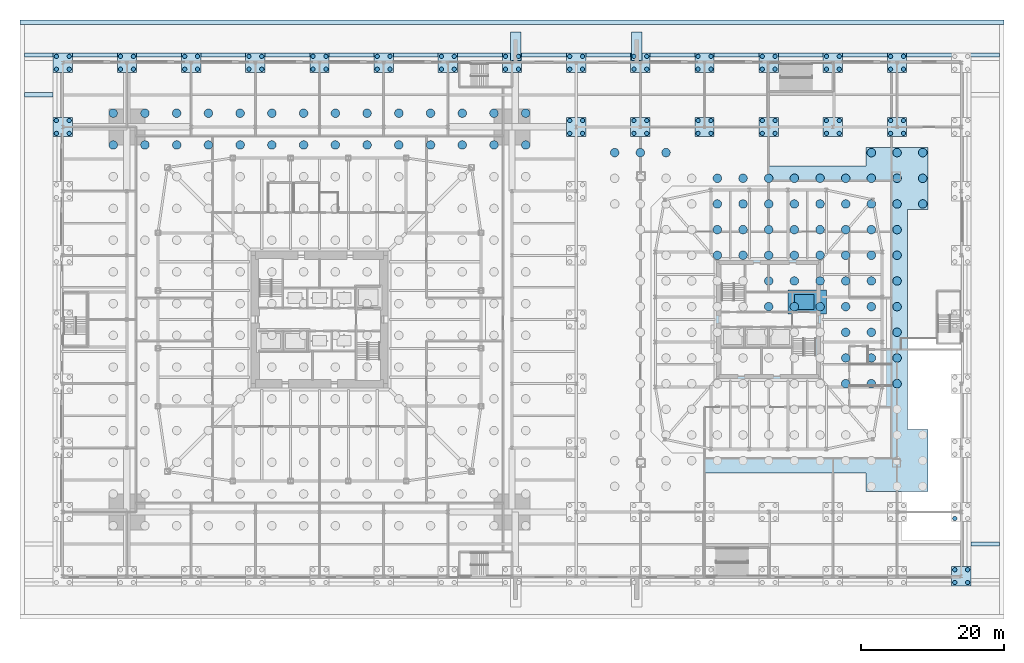
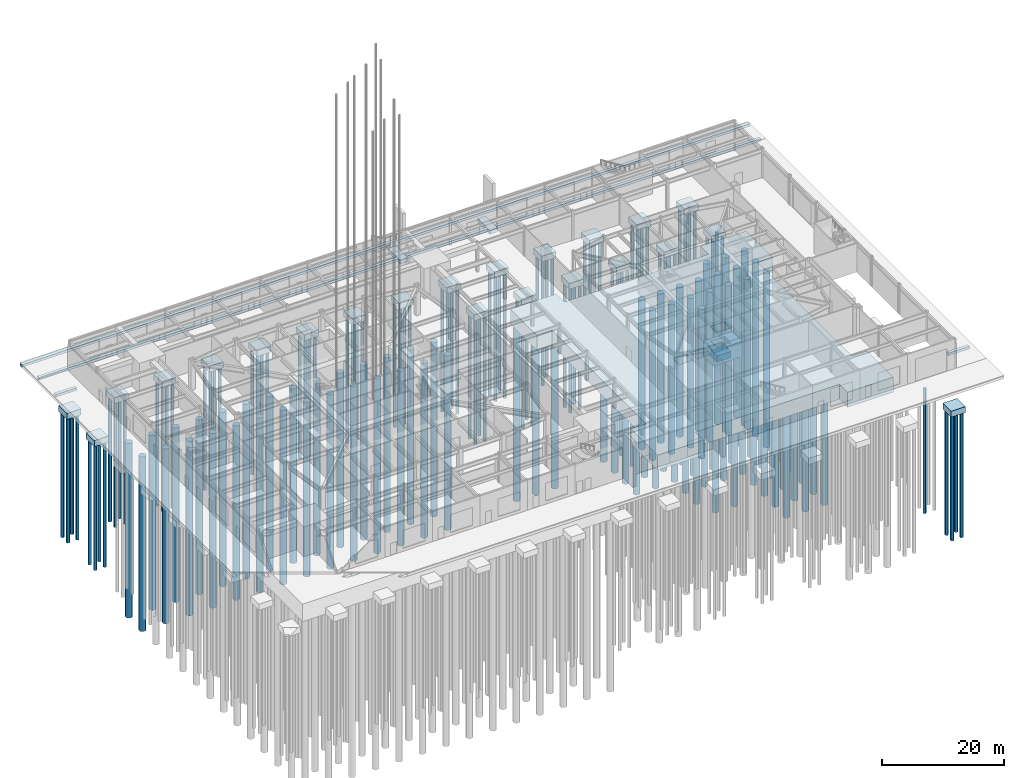
# One storey, part 3 of 37: 178 piles, 33 footings.
"""IFC4 building model written with IfcOpenShell, lengths in metres."""

from ifc_helpers import new_model, si_unit, direction, frame, origin, origin_2d, place, context, subcontext, project, spatial, polyline, rectangle, circle, outline, extrude, material, material_profile, profile_set, type_object, element, save


model = new_model("IFC4")

# Units and contexts
model_context = context("Model", 3, precision=1e-05, world=origin(), true_north=direction((0.0, 1.0)))
body_context = subcontext(model_context, "Body", "Model", "MODEL_VIEW")
ifc_project = project(units=[si_unit("LENGTHUNIT", "METRE"), si_unit("AREAUNIT", "SQUARE_METRE"), si_unit("VOLUMEUNIT", "CUBIC_METRE"), si_unit("PLANEANGLEUNIT", "RADIAN"), si_unit("MASSUNIT", "GRAM", prefix="KILO")], contexts=[model_context])

# Site, building, storey
site_placement = place(None, origin())
site = spatial("IfcSite", under=ifc_project, at=site_placement, CompositionType="ELEMENT")
building_placement = place(site_placement, origin())
building = spatial("IfcBuilding", under=site, at=building_placement, Name="Iwan Alto Co-Living Towers", CompositionType="ELEMENT")
storey_placement = place(building_placement, origin())
storey = spatial("IfcBuildingStorey", under=building, at=storey_placement, Name="L00", CompositionType="ELEMENT", Elevation=0.0)

# Piles
ifc_material_1 = material(Name="Concrete f'c 35 MPa", Category="concrete")
ifc_material_profile_1 = material_profile(ifc_material_1, circle(Radius=0.60009765625, at=origin_2d()), Name="D1200")
ifc_profile_set_1 = profile_set([ifc_material_profile_1], Name="Concrete f'c 35 MPa")
pile_type_1 = type_object("IfcPileType", Name="BORED PILE D1200", PredefinedType="BORED", material=ifc_profile_set_1)
for number, where, z_axis, x_axis, name in (
    (1, (-28.925048828125, 24.47509765625, -12.5), (0.0, 0.0, -1.0), (1.0, 0.0, 0.0), "T1 raft pile 1-13"),
    (2, (-28.925048828125, 28.925048828125, -12.5), (0.0, 0.0, -1.0), (1.0, 0.0, 0.0), "T1 raft pile 1-14"),
    (3, (-24.47509765625, 24.47509765625, -12.5), (0.0, 0.0, -1.0), (1.0, 0.0, 0.0), "T1 raft pile 2-13"),
    (4, (-24.47509765625, 28.925048828125, -12.5), (0.0, 0.0, -1.0), (1.0, 0.0, 0.0), "T1 raft pile 2-14"),
    (5, (-20.02490234375, 24.47509765625, -12.5), (0.0, 0.0, -1.0), (1.0, 0.0, 0.0), "T1 raft pile 3-13"),
    (6, (-20.02490234375, 28.925048828125, -12.5), (0.0, 0.0, -1.0), (1.0, 0.0, 0.0), "T1 raft pile 3-14"),
    (7, (-15.574951171875, 24.47509765625, -12.5), (0.0, 0.0, -1.0), (1.0, 0.0, 0.0), "T1 raft pile 4-13"),
    (8, (-15.574951171875, 28.925048828125, -12.5), (0.0, 0.0, -1.0), (1.0, 0.0, 0.0), "T1 raft pile 4-14"),
    (9, (-11.125, 24.47509765625, -12.5), (0.0, 0.0, -1.0), (1.0, 0.0, 0.0), "T1 raft pile 5-13"),
    (10, (-11.125, 28.925048828125, -12.5), (0.0, 0.0, -1.0), (1.0, 0.0, 0.0), "T1 raft pile 5-14"),
    (11, (-6.675048828125, 24.47509765625, -12.5), (0.0, 0.0, -1.0), (1.0, 0.0, 0.0), "T1 raft pile 6-13"),
    (12, (-6.675048828125, 28.925048828125, -12.5), (0.0, 0.0, -1.0), (1.0, 0.0, 0.0), "T1 raft pile 6-14"),
    (13, (-2.22509765625, 24.47509765625, -12.5), (0.0, 0.0, -1.0), (1.0, 0.0, 0.0), "T1 raft pile 7-13"),
    (14, (-2.22509765625, 28.925048828125, -12.5), (0.0, 0.0, -1.0), (1.0, 0.0, 0.0), "T1 raft pile 7-14"),
    (15, (2.22509765625, 24.47509765625, -12.5), (0.0, 0.0, -1.0), (1.0, 0.0, 0.0), "T1 raft pile 8-13"),
    (16, (2.22509765625, 28.925048828125, -12.5), (0.0, 0.0, -1.0), (1.0, 0.0, 0.0), "T1 raft pile 8-14"),
    (17, (6.675048828125, 24.47509765625, -12.5), (0.0, 0.0, -1.0), (1.0, 0.0, 0.0), "T1 raft pile 9-13"),
    (18, (6.675048828125, 28.925048828125, -12.5), (0.0, 0.0, -1.0), (1.0, 0.0, 0.0), "T1 raft pile 9-14"),
    (19, (11.125, 24.47509765625, -12.5), (0.0, 0.0, -1.0), (1.0, 0.0, 0.0), "T1 raft pile 10-13"),
    (20, (11.125, 28.925048828125, -12.5), (0.0, 0.0, -1.0), (1.0, 0.0, 0.0), "T1 raft pile 10-14"),
    (21, (15.574951171875, 24.47509765625, -12.5), (0.0, 0.0, -1.0), (1.0, 0.0, 0.0), "T1 raft pile 11-13"),
    (22, (15.574951171875, 28.925048828125, -12.5), (0.0, 0.0, -1.0), (1.0, 0.0, 0.0), "T1 raft pile 11-14"),
    (23, (20.02490234375, 24.47509765625, -12.5), (0.0, 0.0, -1.0), (1.0, 0.0, 0.0), "T1 raft pile 12-13"),
    (24, (20.02490234375, 28.925048828125, -12.5), (0.0, 0.0, -1.0), (1.0, 0.0, 0.0), "T1 raft pile 12-14"),
    (25, (24.47509765625, 24.47509765625, -12.5), (0.0, 0.0, -1.0), (1.0, 0.0, 0.0), "T1 raft pile 13-13"),
    (26, (24.47509765625, 28.925048828125, -12.5), (0.0, 0.0, -1.0), (1.0, 0.0, 0.0), "T1 raft pile 13-14"),
    (27, (28.925048828125, 24.47509765625, -12.5), (0.0, 0.0, -1.0), (1.0, 0.0, 0.0), "T1 raft pile 14-13"),
    (28, (28.925048828125, 28.925048828125, -12.5), (0.0, 0.0, -1.0), (1.0, 0.0, 0.0), "T1 raft pile 14-14"),
):
    element("IfcPile", number, at=place(storey_placement, frame(where, z_axis=z_axis, x_axis=x_axis)), inside=storey, type_object=pile_type_1, Name=name, PredefinedType="BORED", context=body_context, shape_type="SweptSolid", body=[
        extrude(circle(Radius=0.60009765625, at=origin_2d()), origin(), (0.0, 0.0, 1.0), 35.0),
    ])
for number, where, z_axis, x_axis, name in (
    (29, (55.800048828125, 9.0, -10.449951171875), (0.0, 0.0, -1.0), (1.0, 0.0, 0.0), "T2 raft pile 4-9"),
    (30, (55.800048828125, 12.60009765625, -10.449951171875), (0.0, 0.0, -1.0), (1.0, 0.0, 0.0), "T2 raft pile 4-10"),
    (31, (55.800048828125, 16.199951171875, -10.449951171875), (0.0, 0.0, -1.0), (1.0, 0.0, 0.0), "T2 raft pile 4-11"),
    (32, (55.800048828125, 19.800048828125, -10.449951171875), (0.0, 0.0, -1.0), (1.0, 0.0, 0.0), "T2 raft pile 4-12"),
    (33, (59.39990234375, 9.0, -10.449951171875), (0.0, 0.0, -1.0), (1.0, 0.0, 0.0), "T2 raft pile 5-9"),
    (34, (59.39990234375, 12.60009765625, -10.449951171875), (0.0, 0.0, -1.0), (1.0, 0.0, 0.0), "T2 raft pile 5-10"),
    (35, (59.39990234375, 16.199951171875, -10.449951171875), (0.0, 0.0, -1.0), (1.0, 0.0, 0.0), "T2 raft pile 5-11"),
    (36, (59.39990234375, 19.800048828125, -10.449951171875), (0.0, 0.0, -1.0), (1.0, 0.0, 0.0), "T2 raft pile 5-12"),
    (37, (63.0, 1.800048828125, -10.449951171875), (0.0, 0.0, -1.0), (1.0, 0.0, 0.0), "T2 raft pile 6-7"),
    (38, (63.0, 5.39990234375, -10.449951171875), (0.0, 0.0, -1.0), (1.0, 0.0, 0.0), "T2 raft pile 6-8"),
    (39, (63.0, 9.0, -10.449951171875), (0.0, 0.0, -1.0), (1.0, 0.0, 0.0), "T2 raft pile 6-9"),
    (40, (63.0, 12.60009765625, -10.449951171875), (0.0, 0.0, -1.0), (1.0, 0.0, 0.0), "T2 raft pile 6-10"),
    (41, (63.0, 16.199951171875, -10.449951171875), (0.0, 0.0, -1.0), (1.0, 0.0, 0.0), "T2 raft pile 6-11"),
    (42, (63.0, 19.800048828125, -10.449951171875), (0.0, 0.0, -1.0), (1.0, 0.0, 0.0), "T2 raft pile 6-12"),
    (43, (66.60009765625, 1.800048828125, -13.449951171875), (0.0, 0.0, -1.0), (1.0, 0.0, 0.0), "T2 raft pile 7-7"),
    (44, (66.60009765625, 5.39990234375, -10.449951171875), (0.0, 0.0, -1.0), (1.0, 0.0, 0.0), "T2 raft pile 7-8"),
    (45, (66.60009765625, 9.0, -10.449951171875), (0.0, 0.0, -1.0), (1.0, 0.0, 0.0), "T2 raft pile 7-9"),
    (46, (66.60009765625, 12.60009765625, -10.449951171875), (0.0, 0.0, -1.0), (1.0, 0.0, 0.0), "T2 raft pile 7-10"),
    (47, (66.60009765625, 16.199951171875, -10.449951171875), (0.0, 0.0, -1.0), (1.0, 0.0, 0.0), "T2 raft pile 7-11"),
    (48, (66.60009765625, 19.800048828125, -10.449951171875), (0.0, 0.0, -1.0), (1.0, 0.0, 0.0), "T2 raft pile 7-12"),
    (49, (70.199951171875, 1.800048828125, -13.449951171875), (0.0, 0.0, -1.0), (1.0, 0.0, 0.0), "T2 raft pile 8-7"),
    (50, (70.199951171875, 5.39990234375, -10.449951171875), (0.0, 0.0, -1.0), (1.0, 0.0, 0.0), "T2 raft pile 8-8"),
    (51, (70.199951171875, 9.0, -10.449951171875), (0.0, 0.0, -1.0), (1.0, 0.0, 0.0), "T2 raft pile 8-9"),
    (52, (70.199951171875, 12.60009765625, -10.449951171875), (0.0, 0.0, -1.0), (1.0, 0.0, 0.0), "T2 raft pile 8-10"),
    (53, (70.199951171875, 16.199951171875, -10.449951171875), (0.0, 0.0, -1.0), (1.0, 0.0, 0.0), "T2 raft pile 8-11"),
    (54, (70.199951171875, 19.800048828125, -10.449951171875), (0.0, 0.0, -1.0), (1.0, 0.0, 0.0), "T2 raft pile 8-12"),
    (55, (73.800048828125, -9.0, -10.449951171875), (0.0, 0.0, -1.0), (1.0, 0.0, 0.0), "T2 raft pile 9-4"),
    (56, (73.800048828125, -5.39990234375, -10.449951171875), (0.0, 0.0, -1.0), (1.0, 0.0, 0.0), "T2 raft pile 9-5"),
    (57, (73.800048828125, -1.800048828125, -10.449951171875), (0.0, 0.0, -1.0), (1.0, 0.0, 0.0), "T2 raft pile 9-6"),
    (58, (73.800048828125, 1.800048828125, -10.449951171875), (0.0, 0.0, -1.0), (1.0, 0.0, 0.0), "T2 raft pile 9-7"),
    (59, (73.800048828125, 5.39990234375, -10.449951171875), (0.0, 0.0, -1.0), (1.0, 0.0, 0.0), "T2 raft pile 9-8"),
    (60, (73.800048828125, 9.0, -10.449951171875), (0.0, 0.0, -1.0), (1.0, 0.0, 0.0), "T2 raft pile 9-9"),
    (61, (73.800048828125, 12.60009765625, -10.449951171875), (0.0, 0.0, -1.0), (1.0, 0.0, 0.0), "T2 raft pile 9-10"),
    (62, (73.800048828125, 16.199951171875, -10.449951171875), (0.0, 0.0, -1.0), (1.0, 0.0, 0.0), "T2 raft pile 9-11"),
    (63, (73.800048828125, 19.800048828125, -10.449951171875), (0.0, 0.0, -1.0), (1.0, 0.0, 0.0), "T2 raft pile 9-12"),
    (64, (77.39990234375, -9.0, -10.449951171875), (0.0, 0.0, -1.0), (1.0, 0.0, 0.0), "T2 raft pile 10-4"),
    (65, (77.39990234375, -5.39990234375, -10.449951171875), (0.0, 0.0, -1.0), (1.0, 0.0, 0.0), "T2 raft pile 10-5"),
    (66, (77.39990234375, -1.800048828125, -10.449951171875), (0.0, 0.0, -1.0), (1.0, 0.0, 0.0), "T2 raft pile 10-6"),
    (67, (77.39990234375, 1.800048828125, -10.449951171875), (0.0, 0.0, -1.0), (1.0, 0.0, 0.0), "T2 raft pile 10-7"),
    (68, (77.39990234375, 5.39990234375, -10.449951171875), (0.0, 0.0, -1.0), (1.0, 0.0, 0.0), "T2 raft pile 10-8"),
    (69, (77.39990234375, 9.0, -10.449951171875), (0.0, 0.0, -1.0), (1.0, 0.0, 0.0), "T2 raft pile 10-9"),
    (70, (77.39990234375, 12.60009765625, -10.449951171875), (0.0, 0.0, -1.0), (1.0, 0.0, 0.0), "T2 raft pile 10-10"),
    (71, (77.39990234375, 16.199951171875, -10.449951171875), (0.0, 0.0, -1.0), (1.0, 0.0, 0.0), "T2 raft pile 10-11"),
    (72, (77.39990234375, 19.800048828125, -10.449951171875), (0.0, 0.0, -1.0), (1.0, 0.0, 0.0), "T2 raft pile 10-12"),
    (73, (81.0, -9.0, -10.449951171875), (0.0, 0.0, -1.0), (1.0, 0.0, 0.0), "T2 raft pile 11-4"),
    (74, (81.0, -5.39990234375, -10.449951171875), (0.0, 0.0, -1.0), (1.0, 0.0, 0.0), "T2 raft pile 11-5"),
    (75, (81.0, -1.800048828125, -10.449951171875), (0.0, 0.0, -1.0), (1.0, 0.0, 0.0), "T2 raft pile 11-6"),
    (76, (81.0, 1.800048828125, -10.449951171875), (0.0, 0.0, -1.0), (1.0, 0.0, 0.0), "T2 raft pile 11-7"),
    (77, (81.0, 5.39990234375, -10.449951171875), (0.0, 0.0, -1.0), (1.0, 0.0, 0.0), "T2 raft pile 11-8"),
    (78, (81.0, 9.0, -10.449951171875), (0.0, 0.0, -1.0), (1.0, 0.0, 0.0), "T2 raft pile 11-9"),
    (79, (81.0, 12.60009765625, -10.449951171875), (0.0, 0.0, -1.0), (1.0, 0.0, 0.0), "T2 raft pile 11-10"),
    (80, (81.0, 16.199951171875, -10.449951171875), (0.0, 0.0, -1.0), (1.0, 0.0, 0.0), "T2 raft pile 11-11"),
    (81, (81.0, 19.800048828125, -10.449951171875), (0.0, 0.0, -1.0), (1.0, 0.0, 0.0), "T2 raft pile 11-12"),
):
    element("IfcPile", number, at=place(storey_placement, frame(where, z_axis=z_axis, x_axis=x_axis)), inside=storey, type_object=pile_type_1, Name=name, PredefinedType="BORED", context=body_context, shape_type="SweptSolid", body=[
        extrude(circle(Radius=0.60009765625, at=origin_2d()), origin(), (0.0, 0.0, 1.0), 30.0),
    ])
ifc_material_2 = material(Name="Concrete f'c 35 MPa", Category="concrete")
ifc_material_profile_2 = material_profile(ifc_material_2, circle(Radius=0.300048828125, at=origin_2d()), Name="D600")
ifc_profile_set_2 = profile_set([ifc_material_profile_2], Name="Concrete f'c 35 MPa")
pile_type_2 = type_object("IfcPileType", Name="BORED PILE D600", PredefinedType="BORED", material=ifc_profile_set_2)
for number, where, z_axis, x_axis, name in (
    (82, (-36.89990234375, 26.10009765625, -8.64990234375), (0.0, 0.0, -1.0), (1.0, 0.0, 0.0), "Pile 1/H/1"),
    (83, (-35.10009765625, 26.10009765625, -8.64990234375), (0.0, 0.0, -1.0), (1.0, 0.0, 0.0), "Pile 1/H/2"),
    (84, (-35.10009765625, 27.89990234375, -8.64990234375), (0.0, 0.0, -1.0), (1.0, 0.0, 0.0), "Pile 1/H/3"),
    (85, (-36.89990234375, 27.89990234375, -8.64990234375), (0.0, 0.0, -1.0), (1.0, 0.0, 0.0), "Pile 1/H/4"),
    (86, (-36.89990234375, 35.10009765625, -8.64990234375), (0.0, 0.0, -1.0), (1.0, 0.0, 0.0), "Pile 1/I/1"),
    (87, (-35.10009765625, 35.10009765625, -8.64990234375), (0.0, 0.0, -1.0), (1.0, 0.0, 0.0), "Pile 1/I/2"),
    (88, (-35.10009765625, 36.89990234375, -8.64990234375), (0.0, 0.0, -1.0), (1.0, 0.0, 0.0), "Pile 1/I/3"),
    (89, (-36.89990234375, 36.89990234375, -8.64990234375), (0.0, 0.0, -1.0), (1.0, 0.0, 0.0), "Pile 1/I/4"),
    (90, (-27.89990234375, 35.10009765625, -8.64990234375), (0.0, 0.0, -1.0), (1.0, 0.0, 0.0), "Pile 2/I/1"),
    (91, (-26.10009765625, 35.10009765625, -8.64990234375), (0.0, 0.0, -1.0), (1.0, 0.0, 0.0), "Pile 2/I/2"),
    (92, (-26.10009765625, 36.89990234375, -8.64990234375), (0.0, 0.0, -1.0), (1.0, 0.0, 0.0), "Pile 2/I/3"),
    (93, (-27.89990234375, 36.89990234375, -8.64990234375), (0.0, 0.0, -1.0), (1.0, 0.0, 0.0), "Pile 2/I/4"),
    (94, (-18.89990234375, 35.10009765625, -8.64990234375), (0.0, 0.0, -1.0), (1.0, 0.0, 0.0), "Pile 3/I/1"),
    (95, (-17.10009765625, 35.10009765625, -8.64990234375), (0.0, 0.0, -1.0), (1.0, 0.0, 0.0), "Pile 3/I/2"),
    (96, (-17.10009765625, 36.89990234375, -8.64990234375), (0.0, 0.0, -1.0), (1.0, 0.0, 0.0), "Pile 3/I/3"),
    (97, (-18.89990234375, 36.89990234375, -8.64990234375), (0.0, 0.0, -1.0), (1.0, 0.0, 0.0), "Pile 3/I/4"),
    (98, (-9.89990234375, 35.10009765625, -8.64990234375), (0.0, 0.0, -1.0), (1.0, 0.0, 0.0), "Pile 4/I/1"),
    (99, (-8.10009765625, 35.10009765625, -8.64990234375), (0.0, 0.0, -1.0), (1.0, 0.0, 0.0), "Pile 4/I/2"),
    (100, (-8.10009765625, 36.89990234375, -8.64990234375), (0.0, 0.0, -1.0), (1.0, 0.0, 0.0), "Pile 4/I/3"),
    (101, (-9.89990234375, 36.89990234375, -8.64990234375), (0.0, 0.0, -1.0), (1.0, 0.0, 0.0), "Pile 4/I/4"),
    (102, (-0.89990234375, 35.10009765625, -8.64990234375), (0.0, 0.0, -1.0), (1.0, 0.0, 0.0), "Pile 5/I/1"),
    (103, (0.89990234375, 35.10009765625, -8.64990234375), (0.0, 0.0, -1.0), (1.0, 0.0, 0.0), "Pile 5/I/2"),
    (104, (0.89990234375, 36.89990234375, -8.64990234375), (0.0, 0.0, -1.0), (1.0, 0.0, 0.0), "Pile 5/I/3"),
    (105, (-0.89990234375, 36.89990234375, -8.64990234375), (0.0, 0.0, -1.0), (1.0, 0.0, 0.0), "Pile 5/I/4"),
    (106, (8.10009765625, 35.10009765625, -8.64990234375), (0.0, 0.0, -1.0), (1.0, 0.0, 0.0), "Pile 6/I/1"),
    (107, (9.89990234375, 35.10009765625, -8.64990234375), (0.0, 0.0, -1.0), (1.0, 0.0, 0.0), "Pile 6/I/2"),
    (108, (9.89990234375, 36.89990234375, -8.64990234375), (0.0, 0.0, -1.0), (1.0, 0.0, 0.0), "Pile 6/I/3"),
    (109, (8.10009765625, 36.89990234375, -8.64990234375), (0.0, 0.0, -1.0), (1.0, 0.0, 0.0), "Pile 6/I/4"),
    (110, (17.10009765625, 35.10009765625, -8.64990234375), (0.0, 0.0, -1.0), (1.0, 0.0, 0.0), "Pile 7/I/1"),
    (111, (18.89990234375, 35.10009765625, -8.64990234375), (0.0, 0.0, -1.0), (1.0, 0.0, 0.0), "Pile 7/I/2"),
    (112, (18.89990234375, 36.89990234375, -8.64990234375), (0.0, 0.0, -1.0), (1.0, 0.0, 0.0), "Pile 7/I/3"),
    (113, (17.10009765625, 36.89990234375, -8.64990234375), (0.0, 0.0, -1.0), (1.0, 0.0, 0.0), "Pile 7/I/4"),
    (114, (26.10009765625, 35.10009765625, -8.64990234375), (0.0, 0.0, -1.0), (1.0, 0.0, 0.0), "Pile 8/I/1"),
    (115, (27.89990234375, 35.10009765625, -8.64990234375), (0.0, 0.0, -1.0), (1.0, 0.0, 0.0), "Pile 8/I/2"),
    (116, (27.89990234375, 36.89990234375, -8.64990234375), (0.0, 0.0, -1.0), (1.0, 0.0, 0.0), "Pile 8/I/3"),
    (117, (26.10009765625, 36.89990234375, -8.64990234375), (0.0, 0.0, -1.0), (1.0, 0.0, 0.0), "Pile 8/I/4"),
    (118, (35.10009765625, 26.10009765625, -8.64990234375), (0.0, 0.0, -1.0), (1.0, 0.0, 0.0), "Pile 9/H/1"),
    (119, (36.89990234375, 26.10009765625, -8.64990234375), (0.0, 0.0, -1.0), (1.0, 0.0, 0.0), "Pile 9/H/2"),
    (120, (36.89990234375, 27.89990234375, -8.64990234375), (0.0, 0.0, -1.0), (1.0, 0.0, 0.0), "Pile 9/H/3"),
    (121, (35.10009765625, 27.89990234375, -8.64990234375), (0.0, 0.0, -1.0), (1.0, 0.0, 0.0), "Pile 9/H/4"),
    (122, (35.10009765625, 35.10009765625, -8.64990234375), (0.0, 0.0, -1.0), (1.0, 0.0, 0.0), "Pile 9/I/1"),
    (123, (36.89990234375, 35.10009765625, -8.64990234375), (0.0, 0.0, -1.0), (1.0, 0.0, 0.0), "Pile 9/I/2"),
    (124, (36.89990234375, 36.89990234375, -8.64990234375), (0.0, 0.0, -1.0), (1.0, 0.0, 0.0), "Pile 9/I/3"),
    (125, (35.10009765625, 36.89990234375, -8.64990234375), (0.0, 0.0, -1.0), (1.0, 0.0, 0.0), "Pile 9/I/4"),
    (126, (44.10009765625, 26.10009765625, -8.64990234375), (0.0, 0.0, -1.0), (1.0, 0.0, 0.0), "Pile 10/H/1"),
    (127, (45.89990234375, 26.10009765625, -8.64990234375), (0.0, 0.0, -1.0), (1.0, 0.0, 0.0), "Pile 10/H/2"),
    (128, (45.89990234375, 27.89990234375, -8.64990234375), (0.0, 0.0, -1.0), (1.0, 0.0, 0.0), "Pile 10/H/3"),
    (129, (44.10009765625, 27.89990234375, -8.64990234375), (0.0, 0.0, -1.0), (1.0, 0.0, 0.0), "Pile 10/H/4"),
    (130, (44.10009765625, 35.10009765625, -8.64990234375), (0.0, 0.0, -1.0), (1.0, 0.0, 0.0), "Pile 10/I/1"),
    (131, (45.89990234375, 35.10009765625, -8.64990234375), (0.0, 0.0, -1.0), (1.0, 0.0, 0.0), "Pile 10/I/2"),
    (132, (45.89990234375, 36.89990234375, -8.64990234375), (0.0, 0.0, -1.0), (1.0, 0.0, 0.0), "Pile 10/I/3"),
    (133, (44.10009765625, 36.89990234375, -8.64990234375), (0.0, 0.0, -1.0), (1.0, 0.0, 0.0), "Pile 10/I/4"),
    (134, (53.10009765625, 26.10009765625, -8.64990234375), (0.0, 0.0, -1.0), (1.0, 0.0, 0.0), "Pile 11/H/1"),
    (135, (54.89990234375, 26.10009765625, -8.64990234375), (0.0, 0.0, -1.0), (1.0, 0.0, 0.0), "Pile 11/H/2"),
    (136, (54.89990234375, 27.89990234375, -8.64990234375), (0.0, 0.0, -1.0), (1.0, 0.0, 0.0), "Pile 11/H/3"),
    (137, (53.10009765625, 27.89990234375, -8.64990234375), (0.0, 0.0, -1.0), (1.0, 0.0, 0.0), "Pile 11/H/4"),
    (138, (53.10009765625, 35.10009765625, -8.64990234375), (0.0, 0.0, -1.0), (1.0, 0.0, 0.0), "Pile 11/I/1"),
    (139, (54.89990234375, 35.10009765625, -8.64990234375), (0.0, 0.0, -1.0), (1.0, 0.0, 0.0), "Pile 11/I/2"),
    (140, (54.89990234375, 36.89990234375, -8.64990234375), (0.0, 0.0, -1.0), (1.0, 0.0, 0.0), "Pile 11/I/3"),
    (141, (53.10009765625, 36.89990234375, -8.64990234375), (0.0, 0.0, -1.0), (1.0, 0.0, 0.0), "Pile 11/I/4"),
    (142, (62.10009765625, 26.10009765625, -8.64990234375), (0.0, 0.0, -1.0), (1.0, 0.0, 0.0), "Pile 12/H/1"),
    (143, (63.89990234375, 26.10009765625, -8.64990234375), (0.0, 0.0, -1.0), (1.0, 0.0, 0.0), "Pile 12/H/2"),
    (144, (63.89990234375, 27.89990234375, -8.64990234375), (0.0, 0.0, -1.0), (1.0, 0.0, 0.0), "Pile 12/H/3"),
    (145, (62.10009765625, 27.89990234375, -8.64990234375), (0.0, 0.0, -1.0), (1.0, 0.0, 0.0), "Pile 12/H/4"),
    (146, (62.10009765625, 35.10009765625, -8.64990234375), (0.0, 0.0, -1.0), (1.0, 0.0, 0.0), "Pile 12/I/1"),
    (147, (63.89990234375, 35.10009765625, -8.64990234375), (0.0, 0.0, -1.0), (1.0, 0.0, 0.0), "Pile 12/I/2"),
    (148, (63.89990234375, 36.89990234375, -8.64990234375), (0.0, 0.0, -1.0), (1.0, 0.0, 0.0), "Pile 12/I/3"),
    (149, (62.10009765625, 36.89990234375, -8.64990234375), (0.0, 0.0, -1.0), (1.0, 0.0, 0.0), "Pile 12/I/4"),
    (150, (71.10009765625, 26.10009765625, -8.64990234375), (0.0, 0.0, -1.0), (1.0, 0.0, 0.0), "Pile 13/H/1"),
    (151, (72.89990234375, 26.10009765625, -8.64990234375), (0.0, 0.0, -1.0), (1.0, 0.0, 0.0), "Pile 13/H/2"),
    (152, (72.89990234375, 27.89990234375, -8.64990234375), (0.0, 0.0, -1.0), (1.0, 0.0, 0.0), "Pile 13/H/3"),
    (153, (71.10009765625, 27.89990234375, -8.64990234375), (0.0, 0.0, -1.0), (1.0, 0.0, 0.0), "Pile 13/H/4"),
    (154, (71.10009765625, 35.10009765625, -8.64990234375), (0.0, 0.0, -1.0), (1.0, 0.0, 0.0), "Pile 13/I/1"),
    (155, (72.89990234375, 35.10009765625, -8.64990234375), (0.0, 0.0, -1.0), (1.0, 0.0, 0.0), "Pile 13/I/2"),
    (156, (72.89990234375, 36.89990234375, -8.64990234375), (0.0, 0.0, -1.0), (1.0, 0.0, 0.0), "Pile 13/I/3"),
    (157, (71.10009765625, 36.89990234375, -8.64990234375), (0.0, 0.0, -1.0), (1.0, 0.0, 0.0), "Pile 13/I/4"),
    (158, (80.10009765625, 26.10009765625, -8.64990234375), (0.0, 0.0, -1.0), (1.0, 0.0, 0.0), "Pile 14/H/1"),
    (159, (81.89990234375, 26.10009765625, -8.64990234375), (0.0, 0.0, -1.0), (1.0, 0.0, 0.0), "Pile 14/H/2"),
    (160, (81.89990234375, 27.89990234375, -8.64990234375), (0.0, 0.0, -1.0), (1.0, 0.0, 0.0), "Pile 14/H/3"),
    (161, (80.10009765625, 27.89990234375, -8.64990234375), (0.0, 0.0, -1.0), (1.0, 0.0, 0.0), "Pile 14/H/4"),
    (162, (80.10009765625, 35.10009765625, -8.64990234375), (0.0, 0.0, -1.0), (1.0, 0.0, 0.0), "Pile 14/I/1"),
    (163, (81.89990234375, 35.10009765625, -8.64990234375), (0.0, 0.0, -1.0), (1.0, 0.0, 0.0), "Pile 14/I/2"),
    (164, (81.89990234375, 36.89990234375, -8.64990234375), (0.0, 0.0, -1.0), (1.0, 0.0, 0.0), "Pile 14/I/3"),
    (165, (80.10009765625, 36.89990234375, -8.64990234375), (0.0, 0.0, -1.0), (1.0, 0.0, 0.0), "Pile 14/I/4"),
    (166, (89.10009765625, -36.89990234375, -8.64990234375), (0.0, 0.0, -1.0), (1.0, 0.0, 0.0), "Pile 15/A/1"),
    (167, (90.89990234375, -36.89990234375, -8.64990234375), (0.0, 0.0, -1.0), (1.0, 0.0, 0.0), "Pile 15/A/2"),
    (168, (90.89990234375, -35.10009765625, -8.64990234375), (0.0, 0.0, -1.0), (1.0, 0.0, 0.0), "Pile 15/A/3"),
    (169, (89.10009765625, -35.10009765625, -8.64990234375), (0.0, 0.0, -1.0), (1.0, 0.0, 0.0), "Pile 15/A/4"),
    (170, (89.10009765625, -27.89990234375, -8.64990234375), (0.0, 0.0, -1.0), (1.0, 0.0, 0.0), "Pile 15/B/1"),
):
    element("IfcPile", number, at=place(storey_placement, frame(where, z_axis=z_axis, x_axis=x_axis)), inside=storey, type_object=pile_type_2, Name=name, PredefinedType="BORED", context=body_context, shape_type="SweptSolid", body=[
        extrude(circle(Radius=0.300048828125, at=origin_2d()), origin(), (0.0, 0.0, 1.0), 25.0),
    ])
ifc_material_3 = material(Name="Concrete f'c 35 MPa", Category="concrete")
ifc_material_profile_3 = material_profile(ifc_material_3, circle(Radius=0.60009765625, at=origin_2d()), Name="D1200")
ifc_profile_set_3 = profile_set([ifc_material_profile_3], Name="Concrete f'c 35 MPa")
pile_type_3 = type_object("IfcPileType", Name="BORED TENSION PILE D1200", PredefinedType="BORED", material=ifc_profile_set_3)
for number, where, z_axis, x_axis, name in (
    (171, (41.39990234375, 23.39990234375, -10.449951171875), (0.0, 0.0, -1.0), (1.0, 0.0, 0.0), "T2 raft tension pile NW1"),
    (172, (45.0, 23.39990234375, -10.449951171875), (0.0, 0.0, -1.0), (1.0, 0.0, 0.0), "T2 raft tension pile NW4"),
    (173, (48.60009765625, 23.39990234375, -10.449951171875), (0.0, 0.0, -1.0), (1.0, 0.0, 0.0), "T2 raft tension pile NW5"),
    (174, (84.60009765625, 23.39990234375, -10.449951171875), (0.0, 0.0, -1.0), (1.0, 0.0, 0.0), "T2 raft tension pile NE1"),
    (175, (84.60009765625, 19.800048828125, -10.449951171875), (0.0, 0.0, -1.0), (1.0, 0.0, 0.0), "T2 raft tension pile NE2"),
    (176, (84.60009765625, 16.199951171875, -10.449951171875), (0.0, 0.0, -1.0), (1.0, 0.0, 0.0), "T2 raft tension pile NE3"),
    (177, (81.0, 23.39990234375, -10.449951171875), (0.0, 0.0, -1.0), (1.0, 0.0, 0.0), "T2 raft tension pile NE4"),
    (178, (77.39990234375, 23.39990234375, -10.449951171875), (0.0, 0.0, -1.0), (1.0, 0.0, 0.0), "T2 raft tension pile NE5"),
):
    element("IfcPile", number, at=place(storey_placement, frame(where, z_axis=z_axis, x_axis=x_axis)), inside=storey, type_object=pile_type_3, Name=name, PredefinedType="BORED", context=body_context, shape_type="SweptSolid", body=[
        extrude(circle(Radius=0.60009765625, at=origin_2d()), origin(), (0.0, 0.0, 1.0), 35.0),
    ])

# Footings
ifc_material_4 = material(Name="Concrete f'c 25 MPa", Category="concrete")
footing_type_1 = type_object("IfcFootingType", Name="IWAN PIER FOOTING 1500X4000X800", PredefinedType="PAD_FOOTING", material=ifc_material_4)
for number, where, z_axis, x_axis, name in (
    (179, (27.505615234375, 38.300048828125, -0.9501953125), (0.0, 0.0, 1.0), (1.0, 0.0, 0.0), "Iwan pier footing N 1"),
    (180, (44.494384765625, 38.300048828125, -0.9501953125), (0.0, 0.0, 1.0), (1.0, 0.0, 0.0), "Iwan pier footing N 2"),
):
    element("IfcFooting", number, at=place(storey_placement, frame(where, z_axis=z_axis, x_axis=x_axis)), inside=storey, type_object=footing_type_1, Name=name, PredefinedType="PAD_FOOTING", context=body_context, shape_type="SweptSolid", body=[
        extrude(rectangle(XDim=1.5, YDim=4.0, at=origin_2d()), origin(), (0.0, 0.0, 1.0), 0.800048828125),
    ])
ifc_material_5 = material(Name="Concrete f'c 35 MPa", Category="concrete")
footing_type_2 = type_object("IfcFootingType", Name="LIFT PIT BASE 2700X2100X1250", PredefinedType="PAD_FOOTING", material=ifc_material_5)
footing_1_placement = place(storey_placement, frame((68.0, 2.449951171875, -13.449951171875), z_axis=(0.0, 0.0, 1.0), x_axis=(1.0, 0.0, 0.0)))
element("IfcFooting", 181, at=footing_1_placement, inside=storey, type_object=footing_type_2, Name="Lift FL2 pit base", PredefinedType="PAD_FOOTING", context=body_context, shape_type="SweptSolid", body=[
    extrude(rectangle(XDim=2.699951171875, YDim=2.10009765625, at=origin_2d()), origin(), (0.0, 0.0, 1.0), 1.25),
])
ifc_material_6 = material(Name="Concrete f'c 35 MPa", Category="concrete")
footing_type_3 = type_object("IfcFootingType", Name="LIFT PIT BOX 5400X3300X3000", PredefinedType="PILE_CAP", material=ifc_material_6)
footing_2_placement = place(storey_placement, frame((0.0, 0.0, -13.449951171875)))
element("IfcFooting", 182, at=footing_2_placement, inside=storey, type_object=footing_type_3, Name="T2 lift pit box under FL2", PredefinedType="PILE_CAP", context=body_context, shape_type="SweptSolid", body=[
    extrude(outline(polyline([(65.699951171875, 0.800048828125), (71.10009765625, 0.800048828125), (71.10009765625, 4.10009765625), (65.699951171875, 4.10009765625), (65.699951171875, 0.800048828125)]), holes=[polyline([(66.64990234375, 1.39990234375), (69.35009765625, 1.39990234375), (69.35009765625, 3.5), (66.64990234375, 3.5), (66.64990234375, 1.39990234375)])]), origin(), (0.0, 0.0, 1.0), 3.0),
])
ifc_material_7 = material(Name="Concrete f'c 25 MPa", Category="concrete")
footing_type_4 = type_object("IfcFootingType", Name="PAVING EDGE FOOTING 600X500", PredefinedType="STRIP_FOOTING", material=ifc_material_7)
footing_3_placement = place(storey_placement, frame((27.0, 41.699951171875, -0.64990234375), z_axis=(0.0, 0.0, 1.0), x_axis=(1.0, 0.0, 0.0)))
element("IfcFooting", 183, at=footing_3_placement, inside=storey, type_object=footing_type_4, Name="Paving edge footing N 1.1", PredefinedType="STRIP_FOOTING", context=body_context, shape_type="SweptSolid", body=[
    extrude(rectangle(XDim=138.0, YDim=0.60009765625, at=origin_2d()), origin(), (0.0, 0.0, 1.0), 0.5),
])
footing_4_placement = place(storey_placement, frame((-7.322265625, 37.10009765625, -0.64990234375), z_axis=(0.0, 0.0, 1.0), x_axis=(1.0, 0.0, 0.0)))
element("IfcFooting", 184, at=footing_4_placement, inside=storey, type_object=footing_type_4, Name="Paving edge footing N 2.1", PredefinedType="STRIP_FOOTING", context=body_context, shape_type="SweptSolid", body=[
    extrude(rectangle(XDim=68.15576171875, YDim=0.60009765625, at=origin_2d()), origin(), (0.0, 0.0, 1.0), 0.5),
])
footing_5_placement = place(storey_placement, frame((36.0, 37.10009765625, -0.64990234375), z_axis=(0.0, 0.0, 1.0), x_axis=(1.0, 0.0, 0.0)))
element("IfcFooting", 185, at=footing_5_placement, inside=storey, type_object=footing_type_4, Name="Paving edge footing N 2.2", PredefinedType="STRIP_FOOTING", context=body_context, shape_type="SweptSolid", body=[
    extrude(rectangle(XDim=15.488525390625, YDim=0.60009765625, at=origin_2d()), origin(), (0.0, 0.0, 1.0), 0.5),
])
footing_6_placement = place(storey_placement, frame((70.322265625, 37.10009765625, -0.64990234375), z_axis=(0.0, 0.0, 1.0), x_axis=(1.0, 0.0, 0.0)))
element("IfcFooting", 186, at=footing_6_placement, inside=storey, type_object=footing_type_4, Name="Paving edge footing N 2.3", PredefinedType="STRIP_FOOTING", context=body_context, shape_type="SweptSolid", body=[
    extrude(rectangle(XDim=50.15576171875, YDim=0.60009765625, at=origin_2d()), origin(), (0.0, 0.0, 1.0), 0.5),
])
for number, where, z_axis, x_axis, name in (
    (187, (-39.39990234375, 31.5, -0.64990234375), (0.0, 0.0, 1.0), (1.0, 0.0, 0.0), "Paving tie footing W N"),
    (188, (93.39990234375, -31.5, -0.64990234375), (0.0, 0.0, 1.0), (1.0, 0.0, 0.0), "Paving tie footing E S"),
):
    element("IfcFooting", number, at=place(storey_placement, frame(where, z_axis=z_axis, x_axis=x_axis)), inside=storey, type_object=footing_type_4, Name=name, PredefinedType="STRIP_FOOTING", context=body_context, shape_type="SweptSolid", body=[
        extrude(rectangle(XDim=4.0, YDim=0.60009765625, at=origin_2d()), origin(), (0.0, 0.0, 1.0), 0.5),
    ])
ifc_material_8 = material(Name="Concrete f'c 35 MPa", Category="concrete")
footing_type_5 = type_object("IfcFootingType", Name="PILE CAP 2700X2700X1200", PredefinedType="PILE_CAP", material=ifc_material_8)
for number, where, z_axis, x_axis, name in (
    (189, (-36.0, 27.0, -8.64990234375), (0.0, 0.0, 1.0), (1.0, 0.0, 0.0), "Pile cap 1/H"),
    (190, (-36.0, 36.0, -8.64990234375), (0.0, 0.0, 1.0), (1.0, 0.0, 0.0), "Pile cap 1/I"),
    (191, (-27.0, 36.0, -8.64990234375), (0.0, 0.0, 1.0), (1.0, 0.0, 0.0), "Pile cap 2/I"),
    (192, (-18.0, 36.0, -8.64990234375), (0.0, 0.0, 1.0), (1.0, 0.0, 0.0), "Pile cap 3/I"),
    (193, (-9.0, 36.0, -8.64990234375), (0.0, 0.0, 1.0), (1.0, 0.0, 0.0), "Pile cap 4/I"),
    (194, (0.0, 36.0, -8.64990234375), (0.0, 0.0, 1.0), (1.0, 0.0, 0.0), "Pile cap 5/I"),
    (195, (9.0, 36.0, -8.64990234375), (0.0, 0.0, 1.0), (1.0, 0.0, 0.0), "Pile cap 6/I"),
    (196, (18.0, 36.0, -8.64990234375), (0.0, 0.0, 1.0), (1.0, 0.0, 0.0), "Pile cap 7/I"),
    (197, (27.0, 36.0, -8.64990234375), (0.0, 0.0, 1.0), (1.0, 0.0, 0.0), "Pile cap 8/I"),
    (198, (36.0, 27.0, -8.64990234375), (0.0, 0.0, 1.0), (1.0, 0.0, 0.0), "Pile cap 9/H"),
    (199, (36.0, 36.0, -8.64990234375), (0.0, 0.0, 1.0), (1.0, 0.0, 0.0), "Pile cap 9/I"),
    (200, (45.0, 27.0, -8.64990234375), (0.0, 0.0, 1.0), (1.0, 0.0, 0.0), "Pile cap 10/H"),
    (201, (45.0, 36.0, -8.64990234375), (0.0, 0.0, 1.0), (1.0, 0.0, 0.0), "Pile cap 10/I"),
    (202, (54.0, 27.0, -8.64990234375), (0.0, 0.0, 1.0), (1.0, 0.0, 0.0), "Pile cap 11/H"),
    (203, (54.0, 36.0, -8.64990234375), (0.0, 0.0, 1.0), (1.0, 0.0, 0.0), "Pile cap 11/I"),
    (204, (63.0, 27.0, -8.64990234375), (0.0, 0.0, 1.0), (1.0, 0.0, 0.0), "Pile cap 12/H"),
    (205, (63.0, 36.0, -8.64990234375), (0.0, 0.0, 1.0), (1.0, 0.0, 0.0), "Pile cap 12/I"),
    (206, (72.0, 27.0, -8.64990234375), (0.0, 0.0, 1.0), (1.0, 0.0, 0.0), "Pile cap 13/H"),
    (207, (72.0, 36.0, -8.64990234375), (0.0, 0.0, 1.0), (1.0, 0.0, 0.0), "Pile cap 13/I"),
    (208, (81.0, 27.0, -8.64990234375), (0.0, 0.0, 1.0), (1.0, 0.0, 0.0), "Pile cap 14/H"),
    (209, (81.0, 36.0, -8.64990234375), (0.0, 0.0, 1.0), (1.0, 0.0, 0.0), "Pile cap 14/I"),
    (210, (90.0, -36.0, -8.64990234375), (0.0, 0.0, 1.0), (1.0, 0.0, 0.0), "Pile cap 15/A"),
):
    element("IfcFooting", number, at=place(storey_placement, frame(where, z_axis=z_axis, x_axis=x_axis)), inside=storey, type_object=footing_type_5, Name=name, PredefinedType="PILE_CAP", context=body_context, shape_type="SweptSolid", body=[
        extrude(rectangle(XDim=2.699951171875, YDim=2.699951171875, at=origin_2d()), origin(), (0.0, 0.0, 1.0), 1.199951171875),
    ])
ifc_material_9 = material(Name="Concrete f'c 35 MPa", Category="concrete")
footing_type_6 = type_object("IfcFootingType", Name="PILED RAFT T2 44300X48300X3000 WITH CORNER OUTSTANDS", PredefinedType="PILE_CAP", material=ifc_material_9)
footing_7_placement = place(storey_placement, frame((0.0, 0.0, -10.449951171875)))
element("IfcFooting", 211, at=footing_7_placement, inside=storey, type_object=footing_type_6, Name="T2 piled raft", PredefinedType="PILE_CAP", context=body_context, shape_type="SweptSolid", body=[
    extrude(outline(polyline([(40.64990234375, -15.449951171875), (43.5, -15.449951171875), (43.5, 15.449951171875), (40.64990234375, 15.449951171875), (40.64990234375, 24.14990234375), (49.35009765625, 24.14990234375), (49.35009765625, 21.5), (76.64990234375, 21.5), (76.64990234375, 24.14990234375), (85.35009765625, 24.14990234375), (85.35009765625, 15.449951171875), (82.5, 15.449951171875), (82.5, -15.449951171875), (85.35009765625, -15.449951171875), (85.35009765625, -24.14990234375), (76.64990234375, -24.14990234375), (76.64990234375, -21.5), (49.35009765625, -21.5), (49.35009765625, -24.14990234375), (40.64990234375, -24.14990234375), (40.64990234375, -15.449951171875)]), holes=[polyline([(66.64990234375, 1.39990234375), (69.35009765625, 1.39990234375), (69.35009765625, 3.5), (66.64990234375, 3.5), (66.64990234375, 1.39990234375)]), polyline([(56.64990234375, -3.5), (59.282958984375, -3.5), (59.282958984375, -1.39990234375), (56.64990234375, -1.39990234375), (56.64990234375, -3.5)]), polyline([(59.98291015625, -3.5), (62.616943359375, -3.5), (62.616943359375, -1.39990234375), (59.98291015625, -1.39990234375), (59.98291015625, -3.5)]), polyline([(63.31689453125, -3.5), (65.949951171875, -3.5), (65.949951171875, -1.39990234375), (63.31689453125, -1.39990234375), (63.31689453125, -3.5)])]), origin(), (0.0, 0.0, 1.0), 3.0),
])

save(model, "model.ifc")
